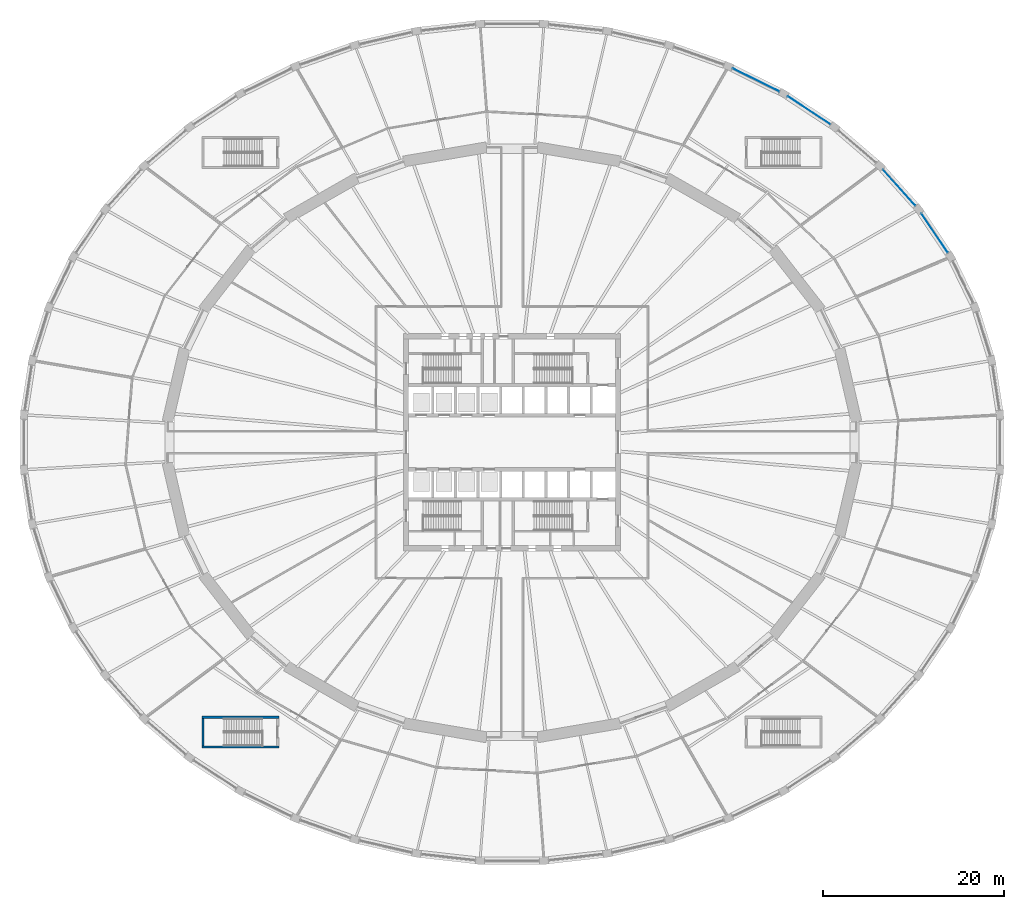
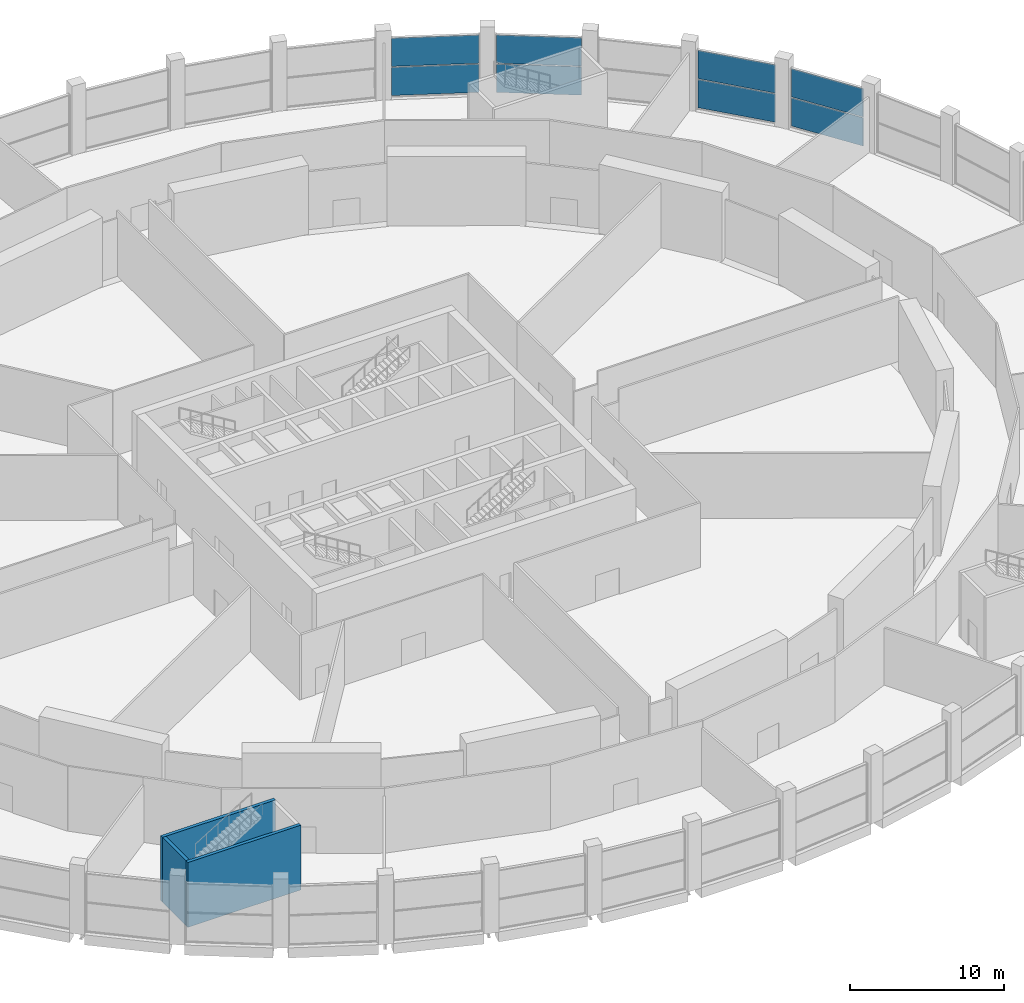
# One storey, part 19 of 29: 8 plates, 3 walls, 4 elements without a shape of their own.
"""IFC4 building model written with IfcOpenShell, lengths in metres."""

from ifc_helpers import new_model, si_unit, direction, frame, frame_2d, origin, origin_2d, place, context, subcontext, project, spatial, rectangle, extrude, material, layer, layer_set, type_object, element, aggregate, save


model = new_model("IFC4")

# Units and contexts
model_context = context("Model", 3, precision=1e-05, world=origin(), true_north=direction((0.0, 1.0)))
body_context = subcontext(model_context, "Body", "Model", "MODEL_VIEW")
ifc_project = project(units=[si_unit("LENGTHUNIT", "METRE"), si_unit("AREAUNIT", "SQUARE_METRE"), si_unit("VOLUMEUNIT", "CUBIC_METRE"), si_unit("PLANEANGLEUNIT", "RADIAN"), si_unit("MASSUNIT", "GRAM", prefix="KILO")], contexts=[model_context])

# Site, building, storey
site_placement = place(None, origin())
site = spatial("IfcSite", under=ifc_project, at=site_placement, CompositionType="ELEMENT")
building_placement = place(site_placement, origin())
building = spatial("IfcBuilding", under=site, at=building_placement, Name="Halqa Exchange Tower", CompositionType="ELEMENT")
storey_placement = place(building_placement, frame((0.0, 0.0, 12.5)))
storey = spatial("IfcBuildingStorey", under=building, at=storey_placement, Name="L02", CompositionType="ELEMENT", Elevation=12.5)

# Curtain wall, plates
ifc_material_1 = material(Name="Anodised aluminium and clear glass", Category="aluminium")
curtain_wall_type = type_object("IfcCurtainWallType", Name="Exchange hall glazing", PredefinedType="NOTDEFINED", material=ifc_material_1)
curtain_wall_1_placement = place(storey_placement, origin())
curtain_wall_1 = element("IfcCurtainWall", 1, at=curtain_wall_1_placement, inside=storey, type_object=curtain_wall_type, Name="Exchange hall glazing run P4", PredefinedType="NOTDEFINED")
ifc_material_2 = material(Name="Clear glass", Category="glass")
ifc_layer_1 = layer(ifc_material_2, 0.035888671875)
ifc_layer_set_1 = layer_set([ifc_layer_1], Name="Clear glass")
plate_type = type_object("IfcPlateType", Name="Laminated clear glass panel 36", PredefinedType="CURTAIN_PANEL", material=ifc_layer_set_1)
plate_1_placement = place(storey_placement, frame((46.665283203125, 23.100341796875, 0.06982421875), z_axis=(0.0, 0.0, 1.0), x_axis=(-0.55852230535, 0.8294895023, 0.0)))
plate_1 = element("IfcPlate", 2, at=plate_1_placement, type_object=plate_type, Name="P4 panel 1.1", PredefinedType="CURTAIN_PANEL", context=body_context, shape_type="SweptSolid", body=[
    extrude(rectangle(XDim=5.18310546875, YDim=0.035888671875, at=origin_2d()), origin(), (0.0, 0.0, 1.0), 2.2451171875),
])
plate_2_placement = place(storey_placement, frame((46.665283203125, 23.100341796875, 2.385009765625), z_axis=(0.0, 0.0, 1.0), x_axis=(-0.55852230535, 0.8294895023, 0.0)))
plate_2 = element("IfcPlate", 3, at=plate_2_placement, type_object=plate_type, Name="P4 panel 1.2", PredefinedType="CURTAIN_PANEL", context=body_context, shape_type="SweptSolid", body=[
    extrude(rectangle(XDim=5.18310546875, YDim=0.035888671875, at=origin_2d()), origin(), (0.0, 0.0, 1.0), 2.2451171875),
])
aggregate(curtain_wall_1, [plate_1, plate_2])

curtain_wall_2_placement = place(storey_placement, origin())
curtain_wall_2 = element("IfcCurtainWall", 4, at=curtain_wall_2_placement, inside=storey, type_object=curtain_wall_type, Name="Exchange hall glazing run P5", PredefinedType="NOTDEFINED")
plate_3_placement = place(storey_placement, frame((42.749267578125, 28.125244140625, 0.06982421875), z_axis=(0.0, 0.0, 1.0), x_axis=(-0.666899477539, 0.74514769466, 0.0)))
plate_3 = element("IfcPlate", 5, at=plate_3_placement, type_object=plate_type, Name="P5 panel 1.1", PredefinedType="CURTAIN_PANEL", context=body_context, shape_type="SweptSolid", body=[
    extrude(rectangle(XDim=5.30810546875, YDim=0.035888671875, at=origin_2d()), origin(), (0.0, 0.0, 1.0), 2.2451171875),
])
plate_4_placement = place(storey_placement, frame((42.749267578125, 28.125244140625, 2.385009765625), z_axis=(0.0, 0.0, 1.0), x_axis=(-0.666899477539, 0.74514769466, 0.0)))
plate_4 = element("IfcPlate", 6, at=plate_4_placement, type_object=plate_type, Name="P5 panel 1.2", PredefinedType="CURTAIN_PANEL", context=body_context, shape_type="SweptSolid", body=[
    extrude(rectangle(XDim=5.30810546875, YDim=0.035888671875, at=origin_2d()), origin(), (0.0, 0.0, 1.0), 2.2451171875),
])
aggregate(curtain_wall_2, [plate_3, plate_4])

curtain_wall_3_placement = place(storey_placement, origin())
curtain_wall_3 = element("IfcCurtainWall", 7, at=curtain_wall_3_placement, inside=storey, type_object=curtain_wall_type, Name="Exchange hall glazing run P7", PredefinedType="NOTDEFINED")
plate_5_placement = place(storey_placement, frame((32.802734375, 36.653564453125, 0.06982421875), z_axis=(0.0, 0.0, 1.0), x_axis=(-0.835414753652, 0.549620040919, 0.0)))
plate_5 = element("IfcPlate", 8, at=plate_5_placement, type_object=plate_type, Name="P7 panel 1.1", PredefinedType="CURTAIN_PANEL", context=body_context, shape_type="SweptSolid", body=[
    extrude(rectangle(XDim=5.56787109375, YDim=0.035888671875, at=origin_2d()), origin(), (0.0, 0.0, 1.0), 2.2451171875),
])
plate_6_placement = place(storey_placement, frame((32.802734375, 36.653564453125, 2.385009765625), z_axis=(0.0, 0.0, 1.0), x_axis=(-0.835414753652, 0.549620040919, 0.0)))
plate_6 = element("IfcPlate", 9, at=plate_6_placement, type_object=plate_type, Name="P7 panel 1.2", PredefinedType="CURTAIN_PANEL", context=body_context, shape_type="SweptSolid", body=[
    extrude(rectangle(XDim=5.56787109375, YDim=0.035888671875, at=origin_2d()), origin(), (0.0, 0.0, 1.0), 2.2451171875),
])
aggregate(curtain_wall_3, [plate_5, plate_6])

curtain_wall_4_placement = place(storey_placement, origin())
curtain_wall_4 = element("IfcCurtainWall", 10, at=curtain_wall_4_placement, inside=storey, type_object=curtain_wall_type, Name="Exchange hall glazing run P8", PredefinedType="NOTDEFINED")
plate_7_placement = place(storey_placement, frame((26.942138671875, 40.010986328125, 0.06982421875), z_axis=(0.0, 0.0, 1.0), x_axis=(-0.896198440934, 0.443653417058, 0.0)))
plate_7 = element("IfcPlate", 11, at=plate_7_placement, type_object=plate_type, Name="P8 panel 1.1", PredefinedType="CURTAIN_PANEL", context=body_context, shape_type="SweptSolid", body=[
    extrude(rectangle(XDim=5.685791015625, YDim=0.035888671875, at=origin_2d()), origin(), (0.0, 0.0, 1.0), 2.2451171875),
])
plate_8_placement = place(storey_placement, frame((26.942138671875, 40.010986328125, 2.385009765625), z_axis=(0.0, 0.0, 1.0), x_axis=(-0.896198440934, 0.443653417058, 0.0)))
plate_8 = element("IfcPlate", 12, at=plate_8_placement, type_object=plate_type, Name="P8 panel 1.2", PredefinedType="CURTAIN_PANEL", context=body_context, shape_type="SweptSolid", body=[
    extrude(rectangle(XDim=5.685791015625, YDim=0.035888671875, at=origin_2d()), origin(), (0.0, 0.0, 1.0), 2.2451171875),
])
aggregate(curtain_wall_4, [plate_7, plate_8])

# Walls
ifc_material_3 = material(Name="Concrete C30/37", Category="concrete")
ifc_layer_2 = layer(ifc_material_3, 0.25)
ifc_layer_set_2 = layer_set([ifc_layer_2], Name="Concrete C30/37")
wall_type = type_object("IfcWallType", Name="RC stair wall 250 C30/37", PredefinedType="SHEAR", material=ifc_layer_set_2)
for number, where, z_axis, x_axis, name in (
    (13, (-34.25, -30.35009765625, 0.0), (0.0, 0.0, 1.0), (1.0, 0.0, 0.0), "Stair PS4 wall north"),
    (14, (-34.25, -33.64990234375, 0.0), (0.0, 0.0, 1.0), (1.0, 0.0, 0.0), "Stair PS4 wall south"),
):
    element("IfcWall", number, at=place(storey_placement, frame(where, z_axis=z_axis, x_axis=x_axis)), inside=storey, type_object=wall_type, Name=name, PredefinedType="SHEAR", context=body_context, shape_type="SweptSolid", body=[
        extrude(rectangle(XDim=8.5, YDim=0.25, at=frame_2d((4.25, 0.0))), origin(), (0.0, 0.0, 1.0), 5.14990234375),
    ])
wall_placement = place(storey_placement, frame((-34.125, -33.52490234375, 0.0), z_axis=(0.0, 0.0, 1.0), x_axis=(0.0, 1.0, 0.0)))
element("IfcWall", 15, at=wall_placement, inside=storey, type_object=wall_type, Name="Stair PS4 wall west", PredefinedType="SHEAR", context=body_context, shape_type="SweptSolid", body=[
    extrude(rectangle(XDim=3.0498046875, YDim=0.25, at=frame_2d((1.52490234375, 0.0))), origin(), (0.0, 0.0, 1.0), 5.14990234375),
])

save(model, "model.ifc")
